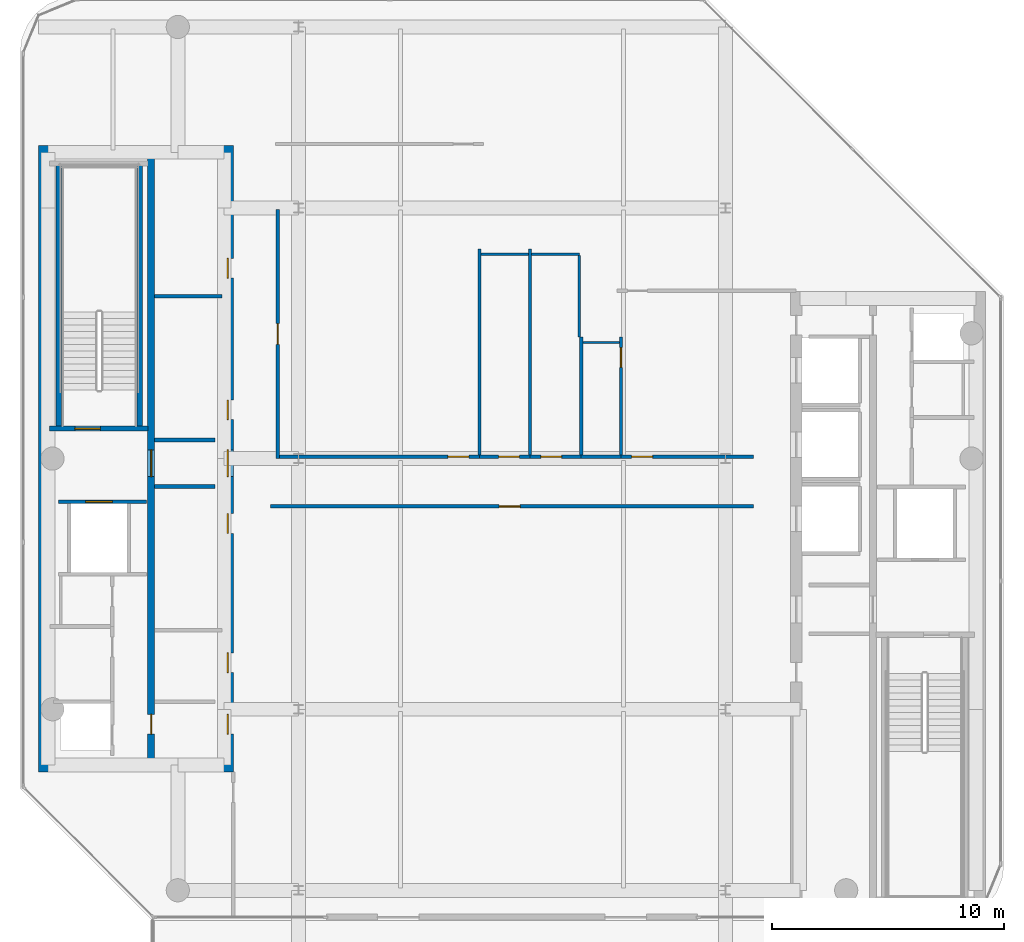
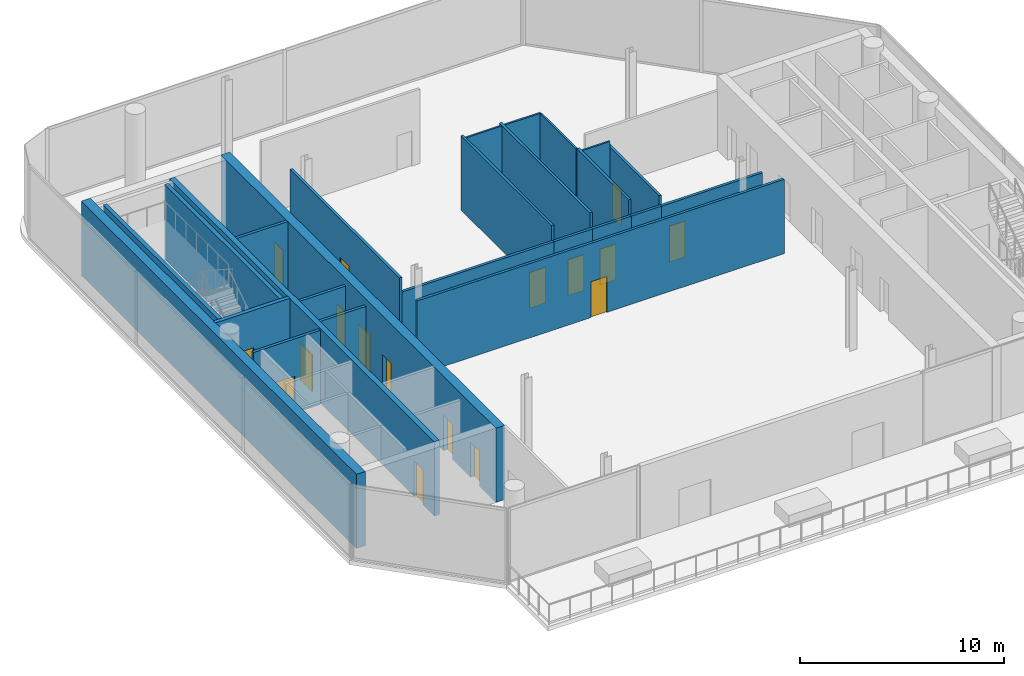
# One storey, part 4 of 14: 25 walls, 17 doors, 17 openings.
"""IFC4 building model written with IfcOpenShell, lengths in metres."""

from ifc_helpers import new_model, si_unit, direction, frame, frame_2d, origin, place, context, subcontext, project, spatial, rectangle, extrude, material, layer, layer_set, type_object, element, fill, save


model = new_model("IFC4")

# Units and contexts
model_context = context("Model", 3, precision=1e-05, world=origin(), true_north=direction((0.0, 1.0)))
body_context = subcontext(model_context, "Body", "Model", "MODEL_VIEW")
ifc_project = project(units=[si_unit("LENGTHUNIT", "METRE"), si_unit("AREAUNIT", "SQUARE_METRE"), si_unit("VOLUMEUNIT", "CUBIC_METRE"), si_unit("PLANEANGLEUNIT", "RADIAN"), si_unit("MASSUNIT", "GRAM", prefix="KILO")], contexts=[model_context])

# Site, building, storey
site_placement = place(None, origin())
site = spatial("IfcSite", under=ifc_project, at=site_placement, CompositionType="ELEMENT")
building_placement = place(site_placement, origin())
building = spatial("IfcBuilding", under=site, at=building_placement, Name="Khairoan Windgate Tower", CompositionType="ELEMENT")
storey_placement = place(building_placement, frame((0.0, 0.0, 320.39990234375)))
storey = spatial("IfcBuildingStorey", under=building, at=storey_placement, Name="L77", CompositionType="ELEMENT", Elevation=320.39990234375)

# Walls
ifc_material_1 = material(Name="Moisture-Resistant Gypsum Partition", Category="gypsum")
ifc_layer_1 = layer(ifc_material_1, 0.10009765625, Name="Moisture-Resistant Gypsum Partition")
ifc_layer_set_1 = layer_set([ifc_layer_1], Name="Moisture-Resistant Gypsum Partition")
wall_type_1 = type_object("IfcWallType", Name="Bathroom Wet-Area Partition Wall", PredefinedType="PARTITIONING", material=ifc_layer_set_1)
wall_1_placement = place(storey_placement, frame((-1.330078125, 8.800048828125, 0.0), z_axis=(0.0, 0.0, 1.0), x_axis=(1.0, 0.0, 0.0)))
element("IfcWall", 1, at=wall_1_placement, inside=storey, type_object=wall_type_1, Name="L77 Wet Room Side Wall 029", PredefinedType="PARTITIONING", context=body_context, shape_type="SweptSolid", body=[
    extrude(rectangle(XDim=2.0400390625, YDim=0.10009765625, at=frame_2d((1.02001953125, 0.0))), origin(), (0.0, 0.0, 1.0), 4.4501953125),
])
wall_2_placement = place(storey_placement, frame((0.85009765625, 8.800048828125, 0.0), z_axis=(0.0, 0.0, 1.0), x_axis=(1.0, 0.0, 0.0)))
element("IfcWall", 2, at=wall_2_placement, inside=storey, type_object=wall_type_1, Name="L77 Wet Room Side Wall 030", PredefinedType="PARTITIONING", context=body_context, shape_type="SweptSolid", body=[
    extrude(rectangle(XDim=2.0498046875, YDim=0.10009765625, at=frame_2d((1.02490234375, 0.0))), origin(), (0.0, 0.0, 1.0), 4.4501953125),
])
wall_3_placement = place(storey_placement, frame((2.89990234375, 8.75, 0.0), z_axis=(0.0, 0.0, 1.0), x_axis=(0.0, -1.0, 0.0)))
element("IfcWall", 3, at=wall_3_placement, inside=storey, type_object=wall_type_1, Name="L77 Wet Room Side Wall 031", PredefinedType="PARTITIONING", context=body_context, shape_type="SweptSolid", body=[
    extrude(rectangle(XDim=3.510009765625, YDim=0.10009765625, at=frame_2d((1.7548828125, 0.0))), origin(), (0.0, 0.0, 1.0), 4.4501953125),
])
wall_4_placement = place(storey_placement, frame((3.050048828125, 5.0, 0.0), z_axis=(0.0, 0.0, 1.0), x_axis=(1.0, 0.0, 0.0)))
element("IfcWall", 4, at=wall_4_placement, inside=storey, type_object=wall_type_1, Name="L77 Wet Room Side Wall 032", PredefinedType="PARTITIONING", context=body_context, shape_type="SweptSolid", body=[
    extrude(rectangle(XDim=1.579833984375, YDim=0.10009765625, at=frame_2d((0.7900390625, 0.0))), origin(), (0.0, 0.0, 1.0), 4.4501953125),
])

# Wall, opening, door
ifc_material_2 = material(Name="Concrete C40/50", Category="concrete")
ifc_layer_2 = layer(ifc_material_2, 0.159912109375, Name="Concrete C40/50")
ifc_layer_set_2 = layer_set([ifc_layer_2], Name="Concrete C40/50")
wall_type_2 = type_object("IfcWallType", Name="Core and Hoistway Enclosure Wall", PredefinedType="STANDARD", material=ifc_layer_set_2)
wall_5_placement = place(storey_placement, frame((-19.550048828125, -1.860107421875, 0.0), z_axis=(0.0, 0.0, 1.0), x_axis=(1.0, 0.0, 0.0)))
wall_5 = element("IfcWall", 5, at=wall_5_placement, inside=storey, type_object=wall_type_2, Name="L77 Core Shaft Wall SW-FL2-L77", PredefinedType="STANDARD", context=body_context, shape_type="SweptSolid", body=[
    extrude(rectangle(XDim=3.800048828125, YDim=0.159912109375, at=frame_2d((1.89990234375, 0.0))), origin(), (0.0, 0.0, 1.0), 4.4501953125),
])
opening_1_placement = place(wall_5_placement, frame((1.179931640625, 0.0, 0.0)))
opening_1 = element("IfcOpeningElement", 6, at=opening_1_placement, cuts=wall_5, Name="Opening LD-FL", PredefinedType="OPENING", context=body_context, shape_type="SweptSolid", body=[
    extrude(rectangle(XDim=1.14990234375, YDim=2.199951171875, at=frame_2d((0.574951171875, 1.10009765625))), frame((0.0, 0.08984375, 0.0), z_axis=(0.0, -1.0, 0.0), x_axis=(1.0, 0.0, 0.0)), (0.0, 0.0, 1.0), 0.179931640625),
])
ifc_material_3 = material(Name="Steel S355", Category="steel")
door_type_1 = type_object("IfcDoorType", Name="Firefighting Lift Sliding Landing Door LD-FL 1150x2200", OperationType="DOUBLE_DOOR_SLIDING", PredefinedType="DOOR", material=ifc_material_3)
door_1_placement = place(opening_1_placement, origin())
door_1 = element("IfcDoor", 7, at=door_1_placement, inside=storey, type_object=door_type_1, Name="L77 Firefighting Lift FL2 Landing Door", OperationType="DOUBLE_DOOR_SLIDING", OverallHeight=2.199951171875, OverallWidth=1.14990234375, PredefinedType="DOOR", context=body_context, shape_type="SweptSolid", body=[
    extrude(rectangle(XDim=1.14990234375, YDim=2.199951171875, at=frame_2d((0.574951171875, 1.10009765625))), frame((0.0, 0.02490234375, 0.0), z_axis=(0.0, -1.0, 0.0), x_axis=(1.0, 0.0, 0.0)), (0.0, 0.0, 1.0), 0.050048828125),
])
fill(opening_1, door_1)

# Walls
for number, where, z_axis, x_axis, name in (
    (8, (-15.39990234375, 0.800048828125, 0.0), (0.0, 0.0, 1.0), (1.0, 0.0, 0.0), "L77 Core Shaft Wall SW-WV1-L77"),
    (9, (-15.39990234375, -1.199951171875, 0.0), (0.0, 0.0, 1.0), (1.0, 0.0, 0.0), "L77 Core Shaft Wall SW-WV2-L77"),
):
    element("IfcWall", number, at=place(storey_placement, frame(where, z_axis=z_axis, x_axis=x_axis)), inside=storey, type_object=wall_type_2, Name=name, PredefinedType="STANDARD", context=body_context, shape_type="SweptSolid", body=[
        extrude(rectangle(XDim=2.599853515625, YDim=0.159912109375, at=frame_2d((1.2998046875, 0.0))), origin(), (0.0, 0.0, 1.0), 4.4501953125),
    ])
ifc_material_4 = material(Name="Acoustic Fire-Rated Gypsum Partition", Category="gypsum")
ifc_layer_3 = layer(ifc_material_4, 0.139892578125, Name="Acoustic Fire-Rated Gypsum Partition")
ifc_layer_set_3 = layer_set([ifc_layer_3], Name="Acoustic Fire-Rated Gypsum Partition")
wall_type_3 = type_object("IfcWallType", Name="Inter-Tenancy Compartment Wall", PredefinedType="PARTITIONING", material=ifc_layer_set_3)
wall_6_placement = place(storey_placement, frame((-1.39990234375, 0.155029296875, 0.0), z_axis=(0.0, 0.0, 1.0), x_axis=(0.0, 1.0, 0.0)))
element("IfcWall", 10, at=wall_6_placement, inside=storey, type_object=wall_type_3, Name="L77 Interior Partition 022", PredefinedType="PARTITIONING", context=body_context, shape_type="SweptSolid", body=[
    extrude(rectangle(XDim=8.885009765625, YDim=0.139892578125, at=frame_2d((4.4423828125, 0.0))), origin(), (0.0, 0.0, 1.0), 4.4501953125),
])

# Wall, opening, door
wall_7_placement = place(storey_placement, frame((4.699951171875, 0.155029296875, 0.0), z_axis=(0.0, 0.0, 1.0), x_axis=(0.0, 1.0, 0.0)))
wall_7 = element("IfcWall", 11, at=wall_7_placement, inside=storey, type_object=wall_type_3, Name="L77 Interior Partition 024", PredefinedType="PARTITIONING", context=body_context, shape_type="SweptSolid", body=[
    extrude(rectangle(XDim=5.0849609375, YDim=0.139892578125, at=frame_2d((2.54248046875, 0.0))), origin(), (0.0, 0.0, 1.0), 4.10009765625),
])
opening_2_placement = place(wall_7_placement, frame((3.77490234375, 0.0, 0.0)))
opening_2 = element("IfcOpeningElement", 12, at=opening_2_placement, cuts=wall_7, Name="Opening FD-SRV", PredefinedType="OPENING", context=body_context, shape_type="SweptSolid", body=[
    extrude(rectangle(XDim=0.85009765625, YDim=2.10009765625, at=frame_2d((0.425048828125, 1.050048828125))), frame((0.0, 0.079833984375, 0.0), z_axis=(0.0, -1.0, 0.0), x_axis=(1.0, 0.0, 0.0)), (0.0, 0.0, 1.0), 0.159912109375),
])
ifc_material_5 = material(Name="Steel S355", Category="steel")
door_type_2 = type_object("IfcDoorType", Name="Core Service and Riser Fire Door FD-SRV 850x2100", OperationType="NOTDEFINED", PredefinedType="DOOR", material=ifc_material_5)
door_2_placement = place(opening_2_placement, origin())
door_2 = element("IfcDoor", 13, at=door_2_placement, inside=storey, type_object=door_type_2, Name="L77 L77-33-L77-38 Door", OperationType="SINGLE_SWING_LEFT", OverallHeight=2.10009765625, OverallWidth=0.85009765625, PredefinedType="DOOR", context=body_context, shape_type="SweptSolid", body=[
    extrude(rectangle(XDim=0.85009765625, YDim=2.10009765625, at=frame_2d((0.425048828125, 1.050048828125))), frame((0.0, 0.02490234375, 0.0), z_axis=(0.0, -1.0, 0.0), x_axis=(1.0, 0.0, 0.0)), (0.0, 0.0, 1.0), 0.050048828125),
])
fill(opening_2, door_2)

# Walls
wall_8_placement = place(storey_placement, frame((0.780029296875, 0.155029296875, 0.0), z_axis=(0.0, 0.0, 1.0), x_axis=(0.0, 1.0, 0.0)))
element("IfcWall", 14, at=wall_8_placement, inside=storey, type_object=wall_type_3, Name="L77 Interior Partition 025", PredefinedType="PARTITIONING", context=body_context, shape_type="SweptSolid", body=[
    extrude(rectangle(XDim=8.885009765625, YDim=0.139892578125, at=frame_2d((4.4423828125, 0.0))), origin(), (0.0, 0.0, 1.0), 4.4501953125),
])
wall_9_placement = place(storey_placement, frame((2.97998046875, 0.155029296875, 0.0), z_axis=(0.0, 0.0, 1.0), x_axis=(0.0, 1.0, 0.0)))
element("IfcWall", 15, at=wall_9_placement, inside=storey, type_object=wall_type_3, Name="L77 Interior Partition 026", PredefinedType="PARTITIONING", context=body_context, shape_type="SweptSolid", body=[
    extrude(rectangle(XDim=5.0849609375, YDim=0.139892578125, at=frame_2d((2.54248046875, 0.0))), origin(), (0.0, 0.0, 1.0), 4.4501953125),
])
ifc_material_6 = material(Name="Concrete C40/50", Category="concrete")
ifc_layer_4 = layer(ifc_material_6, 0.159912109375, Name="Concrete C40/50")
ifc_layer_set_4 = layer_set([ifc_layer_4], Name="Concrete C40/50")
wall_type_4 = type_object("IfcWallType", Name="Plant and Refuge Compartment Wall", PredefinedType="PARTITIONING", material=ifc_layer_set_4)
wall_10_placement = place(storey_placement, frame((-15.39990234375, 7.0, 0.0), z_axis=(0.0, 0.0, 1.0), x_axis=(1.0, 0.0, 0.0)))
element("IfcWall", 16, at=wall_10_placement, inside=storey, type_object=wall_type_4, Name="L77 Interior Partition 006", PredefinedType="PARTITIONING", context=body_context, shape_type="SweptSolid", body=[
    extrude(rectangle(XDim=2.89990234375, YDim=0.159912109375, at=frame_2d((1.449951171875, 0.0))), origin(), (0.0, 0.0, 1.0), 4.4501953125),
])

# Wall, opening, door
ifc_material_7 = material(Name="Acoustic Fire-Rated Gypsum Partition", Category="gypsum")
ifc_layer_5 = layer(ifc_material_7, 0.14990234375, Name="Acoustic Fire-Rated Gypsum Partition")
ifc_layer_set_5 = layer_set([ifc_layer_5], Name="Acoustic Fire-Rated Gypsum Partition")
wall_type_5 = type_object("IfcWallType", Name="Rated Corridor Partition Wall", PredefinedType="PARTITIONING", material=ifc_layer_set_5)
wall_11_placement = place(storey_placement, frame((-10.10009765625, 0.0048828125, 0.0), z_axis=(0.0, 0.0, 1.0), x_axis=(0.0, 1.0, 0.0)))
wall_11 = element("IfcWall", 17, at=wall_11_placement, inside=storey, type_object=wall_type_5, Name="L77 Interior Partition 013", PredefinedType="PARTITIONING", context=body_context, shape_type="SweptSolid", body=[
    extrude(rectangle(XDim=10.735107421875, YDim=0.14990234375, at=frame_2d((5.36767578125, 0.0))), origin(), (0.0, 0.0, 1.0), 4.4501953125),
])
opening_3_placement = place(wall_11_placement, frame((4.91748046875, 0.0, 0.0)))
opening_3 = element("IfcOpeningElement", 18, at=opening_3_placement, cuts=wall_11, Name="Opening FD-ENT", PredefinedType="OPENING", context=body_context, shape_type="SweptSolid", body=[
    extrude(rectangle(XDim=0.89990234375, YDim=2.14990234375, at=frame_2d((0.449951171875, 1.074951171875))), frame((0.0, 0.0849609375, 0.0), z_axis=(0.0, -1.0, 0.0), x_axis=(1.0, 0.0, 0.0)), (0.0, 0.0, 1.0), 0.169921875),
])
ifc_material_8 = material(Name="Timber Fire-Rated Core", Category="wood")
door_type_3 = type_object("IfcDoorType", Name="Unit and Office Fire Entrance Door FD-ENT 900x2150", OperationType="NOTDEFINED", PredefinedType="DOOR", material=ifc_material_8)
door_3_placement = place(opening_3_placement, origin())
door_3 = element("IfcDoor", 19, at=door_3_placement, inside=storey, type_object=door_type_3, Name="L77 L77-27-L77-32 Door", OperationType="SINGLE_SWING_LEFT", OverallHeight=2.14990234375, OverallWidth=0.89990234375, PredefinedType="DOOR", context=body_context, shape_type="SweptSolid", body=[
    extrude(rectangle(XDim=0.89990234375, YDim=2.14990234375, at=frame_2d((0.449951171875, 1.074951171875))), frame((0.0, 0.02490234375, 0.0), z_axis=(0.0, -1.0, 0.0), x_axis=(1.0, 0.0, 0.0)), (0.0, 0.0, 1.0), 0.050048828125),
])
fill(opening_3, door_3)

wall_12_placement = place(storey_placement, frame((-10.409912109375, -2.06005859375, 0.0), z_axis=(0.0, 0.0, 1.0), x_axis=(1.0, 0.0, 0.0)))
wall_12 = element("IfcWall", 20, at=wall_12_placement, inside=storey, type_object=wall_type_5, Name="L77 Interior Partition 014", PredefinedType="PARTITIONING", context=body_context, shape_type="SweptSolid", body=[
    extrude(rectangle(XDim=20.81982421875, YDim=0.14990234375, at=frame_2d((10.409912109375, 0.0))), origin(), (0.0, 0.0, 1.0), 4.4501953125),
])
opening_4_placement = place(wall_12_placement, frame((9.860107421875, 0.0, 0.0)))
opening_4 = element("IfcOpeningElement", 21, at=opening_4_placement, cuts=wall_12, Name="Opening FD-ENT", PredefinedType="OPENING", context=body_context, shape_type="SweptSolid", body=[
    extrude(rectangle(XDim=0.89990234375, YDim=2.14990234375, at=frame_2d((0.449951171875, 1.074951171875))), frame((0.0, 0.0849609375, 0.0), z_axis=(0.0, -1.0, 0.0), x_axis=(1.0, 0.0, 0.0)), (0.0, 0.0, 1.0), 0.169921875),
])
door_4_placement = place(opening_4_placement, origin())
door_4 = element("IfcDoor", 22, at=door_4_placement, inside=storey, type_object=door_type_3, Name="L77 L77-29-L77-30 Door", OperationType="SINGLE_SWING_RIGHT", OverallHeight=2.14990234375, OverallWidth=0.89990234375, PredefinedType="DOOR", context=body_context, shape_type="SweptSolid", body=[
    extrude(rectangle(XDim=0.89990234375, YDim=2.14990234375, at=frame_2d((0.449951171875, 1.074951171875))), frame((0.0, 0.02490234375, 0.0), z_axis=(0.0, -1.0, 0.0), x_axis=(1.0, 0.0, 0.0)), (0.0, 0.0, 1.0), 0.050048828125),
])
fill(opening_4, door_4)

wall_13_placement = place(storey_placement, frame((-10.02490234375, 0.080078125, 0.0), z_axis=(0.0, 0.0, 1.0), x_axis=(1.0, 0.0, 0.0)))
wall_13 = element("IfcWall", 23, at=wall_13_placement, inside=storey, type_object=wall_type_5, Name="L77 Interior Partition 015", PredefinedType="PARTITIONING", context=body_context, shape_type="SweptSolid", body=[
    extrude(rectangle(XDim=8.625, YDim=0.14990234375, at=frame_2d((4.3125, 0.0))), origin(), (0.0, 0.0, 1.0), 3.550048828125),
])
opening_5_placement = place(wall_13_placement, frame((7.264892578125, 0.0, 0.0)))
opening_5 = element("IfcOpeningElement", 24, at=opening_5_placement, cuts=wall_13, Name="Opening FD-ENT", PredefinedType="OPENING", context=body_context, shape_type="SweptSolid", body=[
    extrude(rectangle(XDim=0.89990234375, YDim=2.14990234375, at=frame_2d((0.449951171875, 1.074951171875))), frame((0.0, 0.0849609375, 0.0), z_axis=(0.0, -1.0, 0.0), x_axis=(1.0, 0.0, 0.0)), (0.0, 0.0, 1.0), 0.169921875),
])
door_5_placement = place(opening_5_placement, origin())
door_5 = element("IfcDoor", 25, at=door_5_placement, inside=storey, type_object=door_type_3, Name="L77 L77-29-L77-32 Door", OperationType="SINGLE_SWING_LEFT", OverallHeight=2.14990234375, OverallWidth=0.89990234375, PredefinedType="DOOR", context=body_context, shape_type="SweptSolid", body=[
    extrude(rectangle(XDim=0.89990234375, YDim=2.14990234375, at=frame_2d((0.449951171875, 1.074951171875))), frame((0.0, 0.02490234375, 0.0), z_axis=(0.0, -1.0, 0.0), x_axis=(1.0, 0.0, 0.0)), (0.0, 0.0, 1.0), 0.050048828125),
])
fill(opening_5, door_5)

wall_14_placement = place(storey_placement, frame((4.699951171875, 0.080078125, 0.0), z_axis=(0.0, 0.0, 1.0), x_axis=(1.0, 0.0, 0.0)))
wall_14 = element("IfcWall", 26, at=wall_14_placement, inside=storey, type_object=wall_type_5, Name="L77 Interior Partition 016", PredefinedType="PARTITIONING", context=body_context, shape_type="SweptSolid", body=[
    extrude(rectangle(XDim=5.7099609375, YDim=0.14990234375, at=frame_2d((2.85498046875, 0.0))), origin(), (0.0, 0.0, 1.0), 3.550048828125),
])
opening_6_placement = place(wall_14_placement, frame((0.4599609375, 0.0, 0.0)))
opening_6 = element("IfcOpeningElement", 27, at=opening_6_placement, cuts=wall_14, Name="Opening FD-ENT", PredefinedType="OPENING", context=body_context, shape_type="SweptSolid", body=[
    extrude(rectangle(XDim=0.89990234375, YDim=2.14990234375, at=frame_2d((0.449951171875, 1.074951171875))), frame((0.0, 0.0849609375, 0.0), z_axis=(0.0, -1.0, 0.0), x_axis=(1.0, 0.0, 0.0)), (0.0, 0.0, 1.0), 0.169921875),
])
door_6_placement = place(opening_6_placement, origin())
door_6 = element("IfcDoor", 28, at=door_6_placement, inside=storey, type_object=door_type_3, Name="L77 L77-29-L77-33 Door", OperationType="SINGLE_SWING_RIGHT", OverallHeight=2.14990234375, OverallWidth=0.89990234375, PredefinedType="DOOR", context=body_context, shape_type="SweptSolid", body=[
    extrude(rectangle(XDim=0.89990234375, YDim=2.14990234375, at=frame_2d((0.449951171875, 1.074951171875))), frame((0.0, 0.02490234375, 0.0), z_axis=(0.0, -1.0, 0.0), x_axis=(1.0, 0.0, 0.0)), (0.0, 0.0, 1.0), 0.050048828125),
])
fill(opening_6, door_6)

wall_15_placement = place(storey_placement, frame((-1.39990234375, 0.080078125, 0.0), z_axis=(0.0, 0.0, 1.0), x_axis=(1.0, 0.0, 0.0)))
wall_15 = element("IfcWall", 29, at=wall_15_placement, inside=storey, type_object=wall_type_5, Name="L77 Interior Partition 017", PredefinedType="PARTITIONING", context=body_context, shape_type="SweptSolid", body=[
    extrude(rectangle(XDim=2.179931640625, YDim=0.14990234375, at=frame_2d((1.08984375, 0.0))), origin(), (0.0, 0.0, 1.0), 3.550048828125),
])
opening_7_placement = place(wall_15_placement, frame((0.820068359375, 0.0, 0.0)))
opening_7 = element("IfcOpeningElement", 30, at=opening_7_placement, cuts=wall_15, Name="Opening FD-ENT", PredefinedType="OPENING", context=body_context, shape_type="SweptSolid", body=[
    extrude(rectangle(XDim=0.89990234375, YDim=2.14990234375, at=frame_2d((0.449951171875, 1.074951171875))), frame((0.0, 0.0849609375, 0.0), z_axis=(0.0, -1.0, 0.0), x_axis=(1.0, 0.0, 0.0)), (0.0, 0.0, 1.0), 0.169921875),
])
door_7_placement = place(opening_7_placement, origin())
door_7 = element("IfcDoor", 31, at=door_7_placement, inside=storey, type_object=door_type_3, Name="L77 L77-29-L77-36 Door", OperationType="SINGLE_SWING_LEFT", OverallHeight=2.14990234375, OverallWidth=0.89990234375, PredefinedType="DOOR", context=body_context, shape_type="SweptSolid", body=[
    extrude(rectangle(XDim=0.89990234375, YDim=2.14990234375, at=frame_2d((0.449951171875, 1.074951171875))), frame((0.0, 0.02490234375, 0.0), z_axis=(0.0, -1.0, 0.0), x_axis=(1.0, 0.0, 0.0)), (0.0, 0.0, 1.0), 0.050048828125),
])
fill(opening_7, door_7)

wall_16_placement = place(storey_placement, frame((0.780029296875, 0.080078125, 0.0), z_axis=(0.0, 0.0, 1.0), x_axis=(1.0, 0.0, 0.0)))
wall_16 = element("IfcWall", 32, at=wall_16_placement, inside=storey, type_object=wall_type_5, Name="L77 Interior Partition 018", PredefinedType="PARTITIONING", context=body_context, shape_type="SweptSolid", body=[
    extrude(rectangle(XDim=2.199951171875, YDim=0.14990234375, at=frame_2d((1.10009765625, 0.0))), origin(), (0.0, 0.0, 1.0), 3.550048828125),
])
opening_8_placement = place(wall_16_placement, frame((0.4599609375, 0.0, 0.0)))
opening_8 = element("IfcOpeningElement", 33, at=opening_8_placement, cuts=wall_16, Name="Opening FD-ENT", PredefinedType="OPENING", context=body_context, shape_type="SweptSolid", body=[
    extrude(rectangle(XDim=0.89990234375, YDim=2.14990234375, at=frame_2d((0.449951171875, 1.074951171875))), frame((0.0, 0.0849609375, 0.0), z_axis=(0.0, -1.0, 0.0), x_axis=(1.0, 0.0, 0.0)), (0.0, 0.0, 1.0), 0.169921875),
])
door_8_placement = place(opening_8_placement, origin())
door_8 = element("IfcDoor", 34, at=door_8_placement, inside=storey, type_object=door_type_3, Name="L77 L77-29-L77-37 Door", OperationType="SINGLE_SWING_RIGHT", OverallHeight=2.14990234375, OverallWidth=0.89990234375, PredefinedType="DOOR", context=body_context, shape_type="SweptSolid", body=[
    extrude(rectangle(XDim=0.89990234375, YDim=2.14990234375, at=frame_2d((0.449951171875, 1.074951171875))), frame((0.0, 0.02490234375, 0.0), z_axis=(0.0, -1.0, 0.0), x_axis=(1.0, 0.0, 0.0)), (0.0, 0.0, 1.0), 0.050048828125),
])
fill(opening_8, door_8)

# Walls
wall_17_placement = place(storey_placement, frame((2.97998046875, 0.080078125, 0.0), z_axis=(0.0, 0.0, 1.0), x_axis=(1.0, 0.0, 0.0)))
element("IfcWall", 35, at=wall_17_placement, inside=storey, type_object=wall_type_5, Name="L77 Interior Partition 019", PredefinedType="PARTITIONING", context=body_context, shape_type="SweptSolid", body=[
    extrude(rectangle(XDim=1.719970703125, YDim=0.14990234375, at=frame_2d((0.85986328125, 0.0))), origin(), (0.0, 0.0, 1.0), 3.550048828125),
])
ifc_material_9 = material(Name="Concrete C50/60", Category="concrete")
ifc_layer_6 = layer(ifc_material_9, 0.5, Name="Concrete C50/60")
ifc_layer_set_6 = layer_set([ifc_layer_6], Name="Concrete C50/60")
wall_type_6 = type_object("IfcWallType", Name="Shear Wall CW-W3 500mm", PredefinedType="SHEAR", material=ifc_layer_set_6)
wall_18_placement = place(storey_placement, frame((-20.14990234375, -13.5, 0.0), z_axis=(0.0, 0.0, 1.0), x_axis=(0.0, 1.0, 0.0)))
element("IfcWall", 36, at=wall_18_placement, inside=storey, type_object=wall_type_6, Name="W Core West Shear Wall L77", PredefinedType="SHEAR", context=body_context, shape_type="SweptSolid", body=[
    extrude(rectangle(XDim=27.0, YDim=0.5, at=frame_2d((13.5, 0.0))), origin(), (0.0, 0.0, 1.0), 4.4501953125),
])

# Wall, openings, doors
wall_19_placement = place(storey_placement, frame((-12.25, -13.5, 0.0), z_axis=(0.0, 0.0, 1.0), x_axis=(0.0, 1.0, 0.0)))
wall_19 = element("IfcWall", 37, at=wall_19_placement, inside=storey, type_object=wall_type_6, Name="W Core East Shear Wall L77", PredefinedType="SHEAR", context=body_context, shape_type="SweptSolid", body=[
    extrude(rectangle(XDim=27.0, YDim=0.5, at=frame_2d((13.5, 0.0))), origin(), (0.0, 0.0, 1.0), 4.4501953125),
])
opening_9_placement = place(wall_19_placement, frame((15.175048828125, 0.0, 0.0)))
opening_9 = element("IfcOpeningElement", 38, at=opening_9_placement, cuts=wall_19, Name="Opening FD-SRV", PredefinedType="OPENING", context=body_context, shape_type="SweptSolid", body=[
    extrude(rectangle(XDim=0.85009765625, YDim=2.10009765625, at=frame_2d((0.425048828125, 1.050048828125))), frame((0.0, 0.260009765625, 0.0), z_axis=(0.0, -1.0, 0.0), x_axis=(1.0, 0.0, 0.0)), (0.0, 0.0, 1.0), 0.52001953125),
])
opening_10_placement = place(wall_19_placement, frame((21.27490234375, 0.0, 0.0)))
opening_10 = element("IfcOpeningElement", 39, at=opening_10_placement, cuts=wall_19, Name="Opening FD-SRV", PredefinedType="OPENING", context=body_context, shape_type="SweptSolid", body=[
    extrude(rectangle(XDim=0.85009765625, YDim=2.10009765625, at=frame_2d((0.425048828125, 1.050048828125))), frame((0.0, 0.260009765625, 0.0), z_axis=(0.0, -1.0, 0.0), x_axis=(1.0, 0.0, 0.0)), (0.0, 0.0, 1.0), 0.52001953125),
])
opening_11_placement = place(wall_19_placement, frame((4.27490234375, 0.0, 0.0)))
opening_11 = element("IfcOpeningElement", 40, at=opening_11_placement, cuts=wall_19, Name="Opening FD-SRV", PredefinedType="OPENING", context=body_context, shape_type="SweptSolid", body=[
    extrude(rectangle(XDim=0.85009765625, YDim=2.10009765625, at=frame_2d((0.425048828125, 1.050048828125))), frame((0.0, 0.260009765625, 0.0), z_axis=(0.0, -1.0, 0.0), x_axis=(1.0, 0.0, 0.0)), (0.0, 0.0, 1.0), 0.52001953125),
])
opening_12_placement = place(wall_19_placement, frame((10.27490234375, 0.0, 0.0)))
opening_12 = element("IfcOpeningElement", 41, at=opening_12_placement, cuts=wall_19, Name="Opening FD-SRV", PredefinedType="OPENING", context=body_context, shape_type="SweptSolid", body=[
    extrude(rectangle(XDim=0.85009765625, YDim=2.10009765625, at=frame_2d((0.425048828125, 1.050048828125))), frame((0.0, 0.260009765625, 0.0), z_axis=(0.0, -1.0, 0.0), x_axis=(1.0, 0.0, 0.0)), (0.0, 0.0, 1.0), 0.52001953125),
])
opening_13_placement = place(wall_19_placement, frame((12.72509765625, 0.0, 0.0)))
opening_13 = element("IfcOpeningElement", 42, at=opening_13_placement, cuts=wall_19, Name="Opening FD-FFL", PredefinedType="OPENING", context=body_context, shape_type="SweptSolid", body=[
    extrude(rectangle(XDim=1.14990234375, YDim=2.199951171875, at=frame_2d((0.574951171875, 1.10009765625))), frame((0.0, 0.260009765625, 0.0), z_axis=(0.0, -1.0, 0.0), x_axis=(1.0, 0.0, 0.0)), (0.0, 0.0, 1.0), 0.52001953125),
])
opening_14_placement = place(wall_19_placement, frame((1.625, 0.0, 0.0)))
opening_14 = element("IfcOpeningElement", 43, at=opening_14_placement, cuts=wall_19, Name="Opening FD-SRV", PredefinedType="OPENING", context=body_context, shape_type="SweptSolid", body=[
    extrude(rectangle(XDim=0.85009765625, YDim=2.10009765625, at=frame_2d((0.425048828125, 1.050048828125))), frame((0.0, 0.260009765625, 0.0), z_axis=(0.0, -1.0, 0.0), x_axis=(1.0, 0.0, 0.0)), (0.0, 0.0, 1.0), 0.52001953125),
])
door_9_placement = place(opening_9_placement, origin())
door_9 = element("IfcDoor", 44, at=door_9_placement, inside=storey, type_object=door_type_2, Name="L77 Upper Core Room Door B1-1", OperationType="SINGLE_SWING_RIGHT", OverallHeight=2.10009765625, OverallWidth=0.85009765625, PredefinedType="DOOR", context=body_context, shape_type="SweptSolid", body=[
    extrude(rectangle(XDim=0.85009765625, YDim=2.10009765625, at=frame_2d((0.425048828125, 1.050048828125))), frame((0.0, 0.02490234375, 0.0), z_axis=(0.0, -1.0, 0.0), x_axis=(1.0, 0.0, 0.0)), (0.0, 0.0, 1.0), 0.050048828125),
])
fill(opening_9, door_9)
door_10_placement = place(opening_10_placement, origin())
door_10 = element("IfcDoor", 45, at=door_10_placement, inside=storey, type_object=door_type_2, Name="L77 Upper Core Room Door B1-2", OperationType="SINGLE_SWING_LEFT", OverallHeight=2.10009765625, OverallWidth=0.85009765625, PredefinedType="DOOR", context=body_context, shape_type="SweptSolid", body=[
    extrude(rectangle(XDim=0.85009765625, YDim=2.10009765625, at=frame_2d((0.425048828125, 1.050048828125))), frame((0.0, 0.02490234375, 0.0), z_axis=(0.0, -1.0, 0.0), x_axis=(1.0, 0.0, 0.0)), (0.0, 0.0, 1.0), 0.050048828125),
])
fill(opening_10, door_10)
door_11_placement = place(opening_11_placement, origin())
door_11 = element("IfcDoor", 46, at=door_11_placement, inside=storey, type_object=door_type_2, Name="L77 Upper Core Room Door B2-1", OperationType="SINGLE_SWING_RIGHT", OverallHeight=2.10009765625, OverallWidth=0.85009765625, PredefinedType="DOOR", context=body_context, shape_type="SweptSolid", body=[
    extrude(rectangle(XDim=0.85009765625, YDim=2.10009765625, at=frame_2d((0.425048828125, 1.050048828125))), frame((0.0, 0.02490234375, 0.0), z_axis=(0.0, -1.0, 0.0), x_axis=(1.0, 0.0, 0.0)), (0.0, 0.0, 1.0), 0.050048828125),
])
fill(opening_11, door_11)
door_12_placement = place(opening_12_placement, origin())
door_12 = element("IfcDoor", 47, at=door_12_placement, inside=storey, type_object=door_type_2, Name="L77 Upper Core Room Door B2-2", OperationType="SINGLE_SWING_LEFT", OverallHeight=2.10009765625, OverallWidth=0.85009765625, PredefinedType="DOOR", context=body_context, shape_type="SweptSolid", body=[
    extrude(rectangle(XDim=0.85009765625, YDim=2.10009765625, at=frame_2d((0.425048828125, 1.050048828125))), frame((0.0, 0.02490234375, 0.0), z_axis=(0.0, -1.0, 0.0), x_axis=(1.0, 0.0, 0.0)), (0.0, 0.0, 1.0), 0.050048828125),
])
fill(opening_12, door_12)
door_13_placement = place(opening_14_placement, origin())
door_13 = element("IfcDoor", 48, at=door_13_placement, inside=storey, type_object=door_type_2, Name="L77 West Core Service Vestibule Outer Door", OperationType="SINGLE_SWING_LEFT", OverallHeight=2.10009765625, OverallWidth=0.85009765625, PredefinedType="DOOR", context=body_context, shape_type="SweptSolid", body=[
    extrude(rectangle(XDim=0.85009765625, YDim=2.10009765625, at=frame_2d((0.425048828125, 1.050048828125))), frame((0.0, 0.02490234375, 0.0), z_axis=(0.0, -1.0, 0.0), x_axis=(1.0, 0.0, 0.0)), (0.0, 0.0, 1.0), 0.050048828125),
])
fill(opening_14, door_13)
ifc_material_10 = material(Name="Steel S355", Category="steel")
door_type_4 = type_object("IfcDoorType", Name="Firefighting Lobby Fire Door FD-FFL 1150x2200", OperationType="NOTDEFINED", PredefinedType="DOOR", material=ifc_material_10)
door_14_placement = place(opening_13_placement, origin())
door_14 = element("IfcDoor", 49, at=door_14_placement, inside=storey, type_object=door_type_4, Name="L77 West Core Vestibule Entry Door", OperationType="SINGLE_SWING_LEFT", OverallHeight=2.199951171875, OverallWidth=1.14990234375, PredefinedType="DOOR", context=body_context, shape_type="SweptSolid", body=[
    extrude(rectangle(XDim=1.14990234375, YDim=2.199951171875, at=frame_2d((0.574951171875, 1.10009765625))), frame((0.0, 0.02490234375, 0.0), z_axis=(0.0, -1.0, 0.0), x_axis=(1.0, 0.0, 0.0)), (0.0, 0.0, 1.0), 0.050048828125),
])
fill(opening_13, door_14)

ifc_material_11 = material(Name="Concrete C50/60", Category="concrete")
ifc_layer_7 = layer(ifc_material_11, 0.300048828125, Name="Concrete C50/60")
ifc_layer_set_7 = layer_set([ifc_layer_7], Name="Concrete C50/60")
wall_type_7 = type_object("IfcWallType", Name="Shear Wall SW-2 300mm", PredefinedType="SHEAR", material=ifc_layer_set_7)
wall_20_placement = place(storey_placement, frame((-15.550048828125, -13.0, 0.0), z_axis=(0.0, 0.0, 1.0), x_axis=(0.0, 1.0, 0.0)))
wall_20 = element("IfcWall", 50, at=wall_20_placement, inside=storey, type_object=wall_type_7, Name="W Core Spine Shear Wall L77", PredefinedType="SHEAR", context=body_context, shape_type="SweptSolid", body=[
    extrude(rectangle(XDim=26.0, YDim=0.300048828125, at=frame_2d((13.0, 0.0))), origin(), (0.0, 0.0, 1.0), 4.4501953125),
])
opening_15_placement = place(wall_20_placement, frame((12.22509765625, 0.0, 0.0)))
opening_15 = element("IfcOpeningElement", 51, at=opening_15_placement, cuts=wall_20, Name="Opening FD-FFL", PredefinedType="OPENING", context=body_context, shape_type="SweptSolid", body=[
    extrude(rectangle(XDim=1.14990234375, YDim=2.199951171875, at=frame_2d((0.574951171875, 1.10009765625))), frame((0.0, 0.159912109375, 0.0), z_axis=(0.0, -1.0, 0.0), x_axis=(1.0, 0.0, 0.0)), (0.0, 0.0, 1.0), 0.320068359375),
])
opening_16_placement = place(wall_20_placement, frame((1.125, 0.0, 0.0)))
opening_16 = element("IfcOpeningElement", 52, at=opening_16_placement, cuts=wall_20, Name="Opening FD-SRV", PredefinedType="OPENING", context=body_context, shape_type="SweptSolid", body=[
    extrude(rectangle(XDim=0.85009765625, YDim=2.10009765625, at=frame_2d((0.425048828125, 1.050048828125))), frame((0.0, 0.159912109375, 0.0), z_axis=(0.0, -1.0, 0.0), x_axis=(1.0, 0.0, 0.0)), (0.0, 0.0, 1.0), 0.320068359375),
])
door_15_placement = place(opening_16_placement, origin())
door_15 = element("IfcDoor", 53, at=door_15_placement, inside=storey, type_object=door_type_2, Name="L77 West Core Service Passage Inner Door", OperationType="SINGLE_SWING_RIGHT", OverallHeight=2.10009765625, OverallWidth=0.85009765625, PredefinedType="DOOR", context=body_context, shape_type="SweptSolid", body=[
    extrude(rectangle(XDim=0.85009765625, YDim=2.10009765625, at=frame_2d((0.425048828125, 1.050048828125))), frame((0.0, 0.02490234375, 0.0), z_axis=(0.0, -1.0, 0.0), x_axis=(1.0, 0.0, 0.0)), (0.0, 0.0, 1.0), 0.050048828125),
])
fill(opening_16, door_15)
door_16_placement = place(opening_15_placement, origin())
door_16 = element("IfcDoor", 54, at=door_16_placement, inside=storey, type_object=door_type_4, Name="L77 West Firefighting Lobby Fire Door", OperationType="SINGLE_SWING_RIGHT", OverallHeight=2.199951171875, OverallWidth=1.14990234375, PredefinedType="DOOR", context=body_context, shape_type="SweptSolid", body=[
    extrude(rectangle(XDim=1.14990234375, YDim=2.199951171875, at=frame_2d((0.574951171875, 1.10009765625))), frame((0.0, 0.02490234375, 0.0), z_axis=(0.0, -1.0, 0.0), x_axis=(1.0, 0.0, 0.0)), (0.0, 0.0, 1.0), 0.050048828125),
])
fill(opening_15, door_16)

# Walls
ifc_material_12 = material(Name="Concrete C50/60", Category="concrete")
ifc_layer_8 = layer(ifc_material_12, 0.219970703125, Name="Concrete C50/60")
ifc_layer_set_8 = layer_set([ifc_layer_8], Name="Concrete C50/60")
wall_type_8 = type_object("IfcWallType", Name="Shear Wall SW-ST 220mm", PredefinedType="SHEAR", material=ifc_layer_set_8)
for number, where, z_axis, x_axis, name in (
    (55, (-16.0400390625, 1.2900390625, 0.0), (0.0, 0.0, 1.0), (0.0, 1.0, 0.0), "L77 Stair ST2 East Bearing Wall"),
    (56, (-19.530029296875, 1.2900390625, 0.0), (0.0, 0.0, 1.0), (0.0, 1.0, 0.0), "L77 Stair ST2 West Bearing Wall"),
):
    element("IfcWall", number, at=place(storey_placement, frame(where, z_axis=z_axis, x_axis=x_axis)), inside=storey, type_object=wall_type_8, Name=name, PredefinedType="SHEAR", context=body_context, shape_type="SweptSolid", body=[
        extrude(rectangle(XDim=11.419921875, YDim=0.219970703125, at=frame_2d((5.7099609375, 0.0))), origin(), (0.0, 0.0, 1.0), 4.4501953125),
    ])

# Wall, opening, door
wall_21_placement = place(storey_placement, frame((-19.919921875, 1.2900390625, 0.0), z_axis=(0.0, 0.0, 1.0), x_axis=(1.0, 0.0, 0.0)))
wall_21 = element("IfcWall", 57, at=wall_21_placement, inside=storey, type_object=wall_type_8, Name="L77 Stair ST2 South Bearing Wall", PredefinedType="SHEAR", context=body_context, shape_type="SweptSolid", body=[
    extrude(rectangle(XDim=4.239990234375, YDim=0.219970703125, at=frame_2d((2.1201171875, 0.0))), origin(), (0.0, 0.0, 1.0), 4.4501953125),
])
opening_17_placement = place(wall_21_placement, frame((1.080078125, 0.0, 0.0)))
opening_17 = element("IfcOpeningElement", 58, at=opening_17_placement, cuts=wall_21, Name="Opening FD-ST", PredefinedType="OPENING", context=body_context, shape_type="SweptSolid", body=[
    extrude(rectangle(XDim=1.10009765625, YDim=2.199951171875, at=frame_2d((0.550048828125, 1.10009765625))), frame((0.0, 0.119873046875, 0.0), z_axis=(0.0, -1.0, 0.0), x_axis=(1.0, 0.0, 0.0)), (0.0, 0.0, 1.0), 0.239990234375),
])
ifc_material_13 = material(Name="Steel S355", Category="steel")
door_type_5 = type_object("IfcDoorType", Name="Smokeproof Stair Fire Door FD-ST 1100x2200", OperationType="NOTDEFINED", PredefinedType="DOOR", material=ifc_material_13)
door_17_placement = place(opening_17_placement, origin())
door_17 = element("IfcDoor", 59, at=door_17_placement, inside=storey, type_object=door_type_5, Name="L77 Stair ST2 Fire Door", OperationType="SINGLE_SWING_LEFT", OverallHeight=2.199951171875, OverallWidth=1.10009765625, PredefinedType="DOOR", context=body_context, shape_type="SweptSolid", body=[
    extrude(rectangle(XDim=1.10009765625, YDim=2.199951171875, at=frame_2d((0.550048828125, 1.10009765625))), frame((0.0, 0.02490234375, 0.0), z_axis=(0.0, -1.0, 0.0), x_axis=(1.0, 0.0, 0.0)), (0.0, 0.0, 1.0), 0.050048828125),
])
fill(opening_17, door_17)

save(model, "model.ifc")
